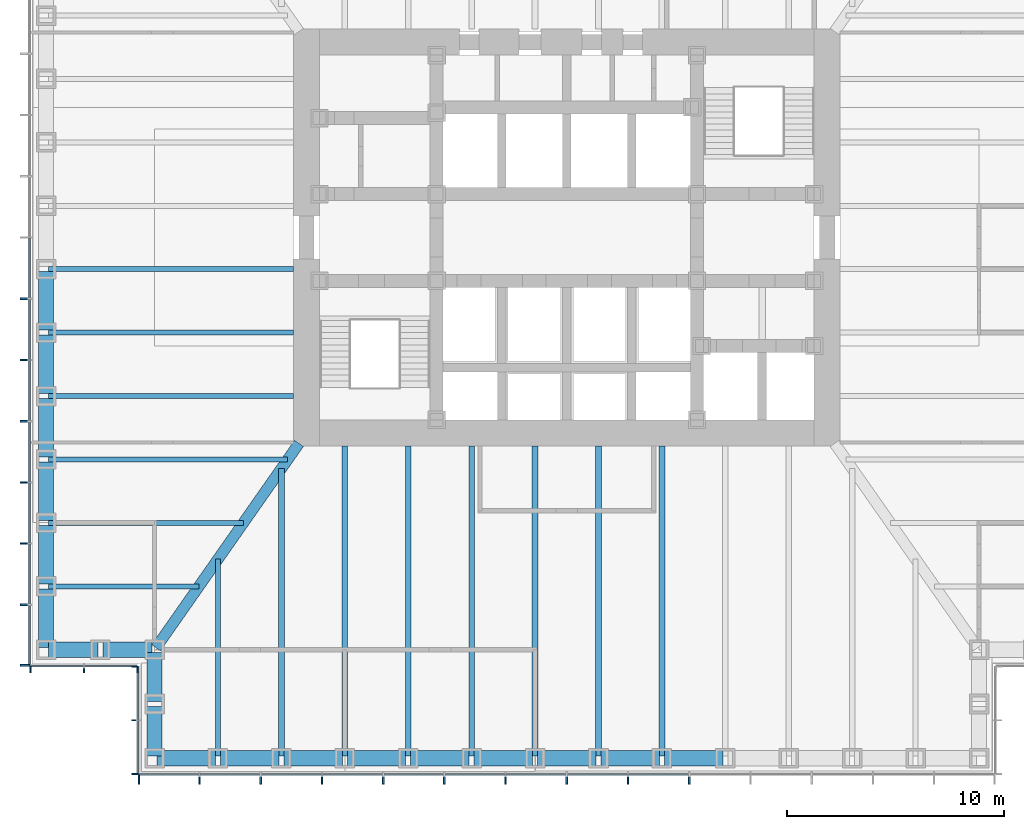
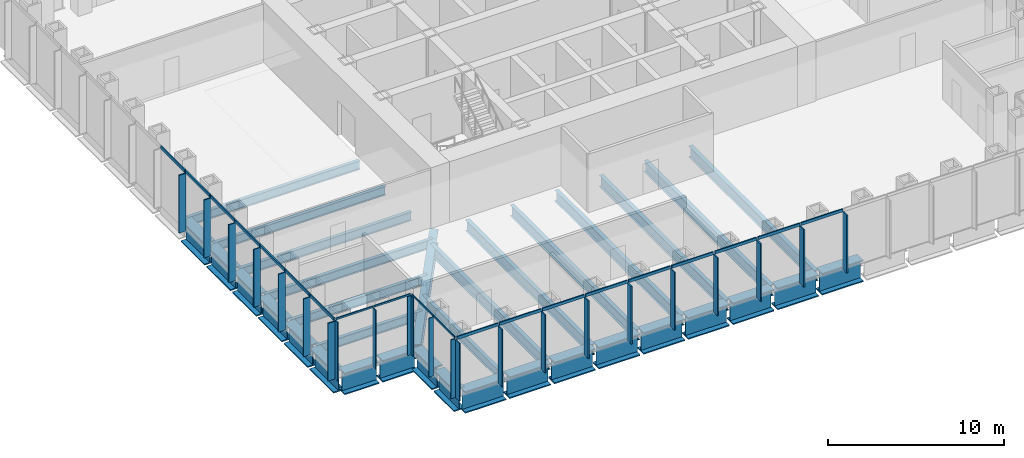
# One storey, part 2 of 16: 43 members, 34 beams, 4 elements without a shape of their own.
"""IFC4 building model written with IfcOpenShell, lengths in metres."""

from ifc_helpers import new_model, si_unit, direction, frame, origin, origin_2d, place, context, subcontext, project, spatial, rectangle, i_section, extrude, material, material_profile, profile_set, type_object, element, aggregate, save


model = new_model("IFC4")

# Units and contexts
model_context = context("Model", 3, precision=1e-05, world=origin(), true_north=direction((0.0, 1.0)))
body_context = subcontext(model_context, "Body", "Model", "MODEL_VIEW")
ifc_project = project(units=[si_unit("LENGTHUNIT", "METRE"), si_unit("AREAUNIT", "SQUARE_METRE"), si_unit("VOLUMEUNIT", "CUBIC_METRE"), si_unit("PLANEANGLEUNIT", "RADIAN"), si_unit("MASSUNIT", "GRAM", prefix="KILO")], contexts=[model_context])

# Site, building, storey
site_placement = place(None, origin())
site = spatial("IfcSite", under=ifc_project, at=site_placement, CompositionType="ELEMENT")
building_placement = place(site_placement, origin())
building = spatial("IfcBuilding", under=site, at=building_placement, Name="Daluyong Arena Tower", CompositionType="ELEMENT")
storey_placement = place(building_placement, frame((0.0, 0.0, 64.300048828125)))
storey = spatial("IfcBuildingStorey", under=building, at=storey_placement, Name="L13", CompositionType="ELEMENT", Elevation=64.300048828125)

# Curtain wall, members
ifc_material_1 = material(Name="Bronze anodised aluminium and glass", Category="aluminium")
curtain_wall_type_1 = type_object("IfcCurtainWallType", Name="Curtain wall CW1", PredefinedType="USERDEFINED", material=ifc_material_1)
curtain_wall_1_placement = place(storey_placement, origin())
curtain_wall_1 = element("IfcCurtainWall", 1, at=curtain_wall_1_placement, inside=storey, type_object=curtain_wall_type_1, Name="curtain wall L13 S", ObjectType="UNITISED CURTAIN WALL", PredefinedType="USERDEFINED")
ifc_material_2 = material(Name="Bronze anodised aluminium fin", Category="aluminium")
ifc_material_profile_1 = material_profile(ifc_material_2, rectangle(XDim=0.449951171875, YDim=0.080078125, at=origin_2d()))
ifc_profile_set_1 = profile_set([ifc_material_profile_1], Name="Bronze anodised aluminium fin")
member_type_1 = type_object("IfcMemberType", Name="CW1 bronze fin 450x80", PredefinedType="MULLION", material=ifc_profile_set_1)
member_1_placement = place(storey_placement, frame((36.2900390625, 55.02490234375, 0.0), z_axis=(0.0, 0.0, 1.0), x_axis=(0.0, 1.0, 0.0)))
member_1 = element("IfcMember", 2, at=member_1_placement, type_object=member_type_1, Name="curtain wall L13 S fin 1", PredefinedType="MULLION", context=body_context, shape_type="SweptSolid", body=[
    extrude(rectangle(XDim=0.449951171875, YDim=0.080078125, at=origin_2d()), origin(), (0.0, 0.0, 1.0), 4.0),
])
member_2_placement = place(storey_placement, frame((39.071533203125, 55.02490234375, 0.0), z_axis=(0.0, 0.0, 1.0), x_axis=(0.0, 1.0, 0.0)))
member_2 = element("IfcMember", 3, at=member_2_placement, type_object=member_type_1, Name="curtain wall L13 S fin 2", PredefinedType="MULLION", context=body_context, shape_type="SweptSolid", body=[
    extrude(rectangle(XDim=0.449951171875, YDim=0.080078125, at=origin_2d()), origin(), (0.0, 0.0, 1.0), 4.0),
])
member_3_placement = place(storey_placement, frame((41.892822265625, 55.02490234375, 0.0), z_axis=(0.0, 0.0, 1.0), x_axis=(0.0, 1.0, 0.0)))
member_3 = element("IfcMember", 4, at=member_3_placement, type_object=member_type_1, Name="curtain wall L13 S fin 3", PredefinedType="MULLION", context=body_context, shape_type="SweptSolid", body=[
    extrude(rectangle(XDim=0.449951171875, YDim=0.080078125, at=origin_2d()), origin(), (0.0, 0.0, 1.0), 4.0),
])
member_4_placement = place(storey_placement, frame((44.71435546875, 55.02490234375, 0.0), z_axis=(0.0, 0.0, 1.0), x_axis=(0.0, 1.0, 0.0)))
member_4 = element("IfcMember", 5, at=member_4_placement, type_object=member_type_1, Name="curtain wall L13 S fin 4", PredefinedType="MULLION", context=body_context, shape_type="SweptSolid", body=[
    extrude(rectangle(XDim=0.449951171875, YDim=0.080078125, at=origin_2d()), origin(), (0.0, 0.0, 1.0), 4.0),
])
member_5_placement = place(storey_placement, frame((47.53564453125, 55.02490234375, 0.0), z_axis=(0.0, 0.0, 1.0), x_axis=(0.0, 1.0, 0.0)))
member_5 = element("IfcMember", 6, at=member_5_placement, type_object=member_type_1, Name="curtain wall L13 S fin 5", PredefinedType="MULLION", context=body_context, shape_type="SweptSolid", body=[
    extrude(rectangle(XDim=0.449951171875, YDim=0.080078125, at=origin_2d()), origin(), (0.0, 0.0, 1.0), 4.0),
])
member_6_placement = place(storey_placement, frame((50.357177734375, 55.02490234375, 0.0), z_axis=(0.0, 0.0, 1.0), x_axis=(0.0, 1.0, 0.0)))
member_6 = element("IfcMember", 7, at=member_6_placement, type_object=member_type_1, Name="curtain wall L13 S fin 6", PredefinedType="MULLION", context=body_context, shape_type="SweptSolid", body=[
    extrude(rectangle(XDim=0.449951171875, YDim=0.080078125, at=origin_2d()), origin(), (0.0, 0.0, 1.0), 4.0),
])
member_7_placement = place(storey_placement, frame((53.178466796875, 55.02490234375, 0.0), z_axis=(0.0, 0.0, 1.0), x_axis=(0.0, 1.0, 0.0)))
member_7 = element("IfcMember", 8, at=member_7_placement, type_object=member_type_1, Name="curtain wall L13 S fin 7", PredefinedType="MULLION", context=body_context, shape_type="SweptSolid", body=[
    extrude(rectangle(XDim=0.449951171875, YDim=0.080078125, at=origin_2d()), origin(), (0.0, 0.0, 1.0), 4.0),
])
member_8_placement = place(storey_placement, frame((56.0, 55.02490234375, 0.0), z_axis=(0.0, 0.0, 1.0), x_axis=(0.0, 1.0, 0.0)))
member_8 = element("IfcMember", 9, at=member_8_placement, type_object=member_type_1, Name="curtain wall L13 S fin 8", PredefinedType="MULLION", context=body_context, shape_type="SweptSolid", body=[
    extrude(rectangle(XDim=0.449951171875, YDim=0.080078125, at=origin_2d()), origin(), (0.0, 0.0, 1.0), 4.0),
])
member_9_placement = place(storey_placement, frame((58.821533203125, 55.02490234375, 0.0), z_axis=(0.0, 0.0, 1.0), x_axis=(0.0, 1.0, 0.0)))
member_9 = element("IfcMember", 10, at=member_9_placement, type_object=member_type_1, Name="curtain wall L13 S fin 9", PredefinedType="MULLION", context=body_context, shape_type="SweptSolid", body=[
    extrude(rectangle(XDim=0.449951171875, YDim=0.080078125, at=origin_2d()), origin(), (0.0, 0.0, 1.0), 4.0),
])
member_10_placement = place(storey_placement, frame((61.642822265625, 55.02490234375, 0.0), z_axis=(0.0, 0.0, 1.0), x_axis=(0.0, 1.0, 0.0)))
member_10 = element("IfcMember", 11, at=member_10_placement, type_object=member_type_1, Name="curtain wall L13 S fin 10", PredefinedType="MULLION", context=body_context, shape_type="SweptSolid", body=[
    extrude(rectangle(XDim=0.449951171875, YDim=0.080078125, at=origin_2d()), origin(), (0.0, 0.0, 1.0), 4.0),
])

curtain_wall_2_placement = place(storey_placement, origin())
curtain_wall_2 = element("IfcCurtainWall", 12, at=curtain_wall_2_placement, inside=storey, type_object=curtain_wall_type_1, Name="curtain wall L13 W", ObjectType="UNITISED CURTAIN WALL", PredefinedType="USERDEFINED")
member_11_placement = place(storey_placement, frame((31.02490234375, 77.178466796875, 0.0), z_axis=(0.0, 0.0, 1.0), x_axis=(1.0, 0.0, 0.0)))
member_11 = element("IfcMember", 13, at=member_11_placement, type_object=member_type_1, Name="curtain wall L13 W fin 9", PredefinedType="MULLION", context=body_context, shape_type="SweptSolid", body=[
    extrude(rectangle(XDim=0.449951171875, YDim=0.080078125, at=origin_2d()), origin(), (0.0, 0.0, 1.0), 4.0),
])
member_12_placement = place(storey_placement, frame((31.02490234375, 74.357177734375, 0.0), z_axis=(0.0, 0.0, 1.0), x_axis=(1.0, 0.0, 0.0)))
member_12 = element("IfcMember", 14, at=member_12_placement, type_object=member_type_1, Name="curtain wall L13 W fin 10", PredefinedType="MULLION", context=body_context, shape_type="SweptSolid", body=[
    extrude(rectangle(XDim=0.449951171875, YDim=0.080078125, at=origin_2d()), origin(), (0.0, 0.0, 1.0), 4.0),
])
member_13_placement = place(storey_placement, frame((31.02490234375, 71.53564453125, 0.0), z_axis=(0.0, 0.0, 1.0), x_axis=(1.0, 0.0, 0.0)))
member_13 = element("IfcMember", 15, at=member_13_placement, type_object=member_type_1, Name="curtain wall L13 W fin 11", PredefinedType="MULLION", context=body_context, shape_type="SweptSolid", body=[
    extrude(rectangle(XDim=0.449951171875, YDim=0.080078125, at=origin_2d()), origin(), (0.0, 0.0, 1.0), 4.0),
])
member_14_placement = place(storey_placement, frame((31.02490234375, 68.71435546875, 0.0), z_axis=(0.0, 0.0, 1.0), x_axis=(1.0, 0.0, 0.0)))
member_14 = element("IfcMember", 16, at=member_14_placement, type_object=member_type_1, Name="curtain wall L13 W fin 12", PredefinedType="MULLION", context=body_context, shape_type="SweptSolid", body=[
    extrude(rectangle(XDim=0.449951171875, YDim=0.080078125, at=origin_2d()), origin(), (0.0, 0.0, 1.0), 4.0),
])
member_15_placement = place(storey_placement, frame((31.02490234375, 65.892822265625, 0.0), z_axis=(0.0, 0.0, 1.0), x_axis=(1.0, 0.0, 0.0)))
member_15 = element("IfcMember", 17, at=member_15_placement, type_object=member_type_1, Name="curtain wall L13 W fin 13", PredefinedType="MULLION", context=body_context, shape_type="SweptSolid", body=[
    extrude(rectangle(XDim=0.449951171875, YDim=0.080078125, at=origin_2d()), origin(), (0.0, 0.0, 1.0), 4.0),
])
member_16_placement = place(storey_placement, frame((31.02490234375, 63.071533203125, 0.0), z_axis=(0.0, 0.0, 1.0), x_axis=(1.0, 0.0, 0.0)))
member_16 = element("IfcMember", 18, at=member_16_placement, type_object=member_type_1, Name="curtain wall L13 W fin 14", PredefinedType="MULLION", context=body_context, shape_type="SweptSolid", body=[
    extrude(rectangle(XDim=0.449951171875, YDim=0.080078125, at=origin_2d()), origin(), (0.0, 0.0, 1.0), 4.0),
])
member_17_placement = place(storey_placement, frame((31.02490234375, 60.2900390625, 0.0), z_axis=(0.0, 0.0, 1.0), x_axis=(1.0, 0.0, 0.0)))
member_17 = element("IfcMember", 19, at=member_17_placement, type_object=member_type_1, Name="curtain wall L13 W fin 15", PredefinedType="MULLION", context=body_context, shape_type="SweptSolid", body=[
    extrude(rectangle(XDim=0.449951171875, YDim=0.080078125, at=origin_2d()), origin(), (0.0, 0.0, 1.0), 4.0),
])

# Member
ifc_material_3 = material(Name="Bronze anodised aluminium", Category="aluminium")
ifc_material_profile_2 = material_profile(ifc_material_3, rectangle(XDim=0.080078125, YDim=0.199951171875, at=origin_2d()))
ifc_profile_set_2 = profile_set([ifc_material_profile_2], Name="Bronze anodised aluminium")
member_type_2 = type_object("IfcMemberType", Name="CW1 stack transom 200x80", PredefinedType="USERDEFINED", material=ifc_profile_set_2)
member_18_placement = place(storey_placement, frame((36.330078125, 55.25, 4.099853515625), z_axis=(1.0, 0.0, 0.0), x_axis=(0.0, 1.0, 0.0)))
member_18 = element("IfcMember", 20, at=member_18_placement, type_object=member_type_2, Name="curtain wall L13 S transom 1", ObjectType="TRANSOM", PredefinedType="USERDEFINED", context=body_context, shape_type="SweptSolid", body=[
    extrude(rectangle(XDim=0.080078125, YDim=0.199951171875, at=origin_2d()), origin(), (0.0, 0.0, 1.0), 2.701416015625),
])

member_19_placement = place(storey_placement, frame((39.111328125, 55.25, 4.099853515625), z_axis=(1.0, 0.0, 0.0), x_axis=(0.0, 1.0, 0.0)))
member_19 = element("IfcMember", 21, at=member_19_placement, type_object=member_type_2, Name="curtain wall L13 S transom 2", ObjectType="TRANSOM", PredefinedType="USERDEFINED", context=body_context, shape_type="SweptSolid", body=[
    extrude(rectangle(XDim=0.080078125, YDim=0.199951171875, at=origin_2d()), origin(), (0.0, 0.0, 1.0), 2.741455078125),
])

member_20_placement = place(storey_placement, frame((41.932861328125, 55.25, 4.099853515625), z_axis=(1.0, 0.0, 0.0), x_axis=(0.0, 1.0, 0.0)))
member_20 = element("IfcMember", 22, at=member_20_placement, type_object=member_type_2, Name="curtain wall L13 S transom 3", ObjectType="TRANSOM", PredefinedType="USERDEFINED", context=body_context, shape_type="SweptSolid", body=[
    extrude(rectangle(XDim=0.080078125, YDim=0.199951171875, at=origin_2d()), origin(), (0.0, 0.0, 1.0), 2.741455078125),
])

member_21_placement = place(storey_placement, frame((44.75439453125, 55.25, 4.099853515625), z_axis=(1.0, 0.0, 0.0), x_axis=(0.0, 1.0, 0.0)))
member_21 = element("IfcMember", 23, at=member_21_placement, type_object=member_type_2, Name="curtain wall L13 S transom 4", ObjectType="TRANSOM", PredefinedType="USERDEFINED", context=body_context, shape_type="SweptSolid", body=[
    extrude(rectangle(XDim=0.080078125, YDim=0.199951171875, at=origin_2d()), origin(), (0.0, 0.0, 1.0), 2.7412109375),
])

member_22_placement = place(storey_placement, frame((47.57568359375, 55.25, 4.099853515625), z_axis=(1.0, 0.0, 0.0), x_axis=(0.0, 1.0, 0.0)))
member_22 = element("IfcMember", 24, at=member_22_placement, type_object=member_type_2, Name="curtain wall L13 S transom 5", ObjectType="TRANSOM", PredefinedType="USERDEFINED", context=body_context, shape_type="SweptSolid", body=[
    extrude(rectangle(XDim=0.080078125, YDim=0.199951171875, at=origin_2d()), origin(), (0.0, 0.0, 1.0), 2.741455078125),
])

member_23_placement = place(storey_placement, frame((50.397216796875, 55.25, 4.099853515625), z_axis=(1.0, 0.0, 0.0), x_axis=(0.0, 1.0, 0.0)))
member_23 = element("IfcMember", 25, at=member_23_placement, type_object=member_type_2, Name="curtain wall L13 S transom 6", ObjectType="TRANSOM", PredefinedType="USERDEFINED", context=body_context, shape_type="SweptSolid", body=[
    extrude(rectangle(XDim=0.080078125, YDim=0.199951171875, at=origin_2d()), origin(), (0.0, 0.0, 1.0), 2.741455078125),
])

member_24_placement = place(storey_placement, frame((53.218505859375, 55.25, 4.099853515625), z_axis=(1.0, 0.0, 0.0), x_axis=(0.0, 1.0, 0.0)))
member_24 = element("IfcMember", 26, at=member_24_placement, type_object=member_type_2, Name="curtain wall L13 S transom 7", ObjectType="TRANSOM", PredefinedType="USERDEFINED", context=body_context, shape_type="SweptSolid", body=[
    extrude(rectangle(XDim=0.080078125, YDim=0.199951171875, at=origin_2d()), origin(), (0.0, 0.0, 1.0), 2.741455078125),
])

member_25_placement = place(storey_placement, frame((56.0400390625, 55.25, 4.099853515625), z_axis=(1.0, 0.0, 0.0), x_axis=(0.0, 1.0, 0.0)))
member_25 = element("IfcMember", 27, at=member_25_placement, type_object=member_type_2, Name="curtain wall L13 S transom 8", ObjectType="TRANSOM", PredefinedType="USERDEFINED", context=body_context, shape_type="SweptSolid", body=[
    extrude(rectangle(XDim=0.080078125, YDim=0.199951171875, at=origin_2d()), origin(), (0.0, 0.0, 1.0), 2.741455078125),
])

member_26_placement = place(storey_placement, frame((58.861328125, 55.25, 4.099853515625), z_axis=(1.0, 0.0, 0.0), x_axis=(0.0, 1.0, 0.0)))
member_26 = element("IfcMember", 28, at=member_26_placement, type_object=member_type_2, Name="curtain wall L13 S transom 9", ObjectType="TRANSOM", PredefinedType="USERDEFINED", context=body_context, shape_type="SweptSolid", body=[
    extrude(rectangle(XDim=0.080078125, YDim=0.199951171875, at=origin_2d()), origin(), (0.0, 0.0, 1.0), 2.741455078125),
])

aggregate(curtain_wall_1, [member_1, member_2, member_3, member_4, member_5, member_6, member_7, member_8, member_9, member_10, member_18, member_19, member_20, member_21, member_22, member_23, member_24, member_25, member_26])

member_27_placement = place(storey_placement, frame((31.25, 79.9599609375, 4.099853515625), z_axis=(0.0, -1.0, 0.0), x_axis=(1.0, 0.0, 0.0)))
member_27 = element("IfcMember", 29, at=member_27_placement, type_object=member_type_2, Name="curtain wall L13 W transom 8", ObjectType="TRANSOM", PredefinedType="USERDEFINED", context=body_context, shape_type="SweptSolid", body=[
    extrude(rectangle(XDim=0.080078125, YDim=0.199951171875, at=origin_2d()), origin(), (0.0, 0.0, 1.0), 2.741455078125),
])

member_28_placement = place(storey_placement, frame((31.25, 77.138671875, 4.099853515625), z_axis=(0.0, -1.0, 0.0), x_axis=(1.0, 0.0, 0.0)))
member_28 = element("IfcMember", 30, at=member_28_placement, type_object=member_type_2, Name="curtain wall L13 W transom 9", ObjectType="TRANSOM", PredefinedType="USERDEFINED", context=body_context, shape_type="SweptSolid", body=[
    extrude(rectangle(XDim=0.080078125, YDim=0.199951171875, at=origin_2d()), origin(), (0.0, 0.0, 1.0), 2.741455078125),
])

member_29_placement = place(storey_placement, frame((31.25, 74.317138671875, 4.099853515625), z_axis=(0.0, -1.0, 0.0), x_axis=(1.0, 0.0, 0.0)))
member_29 = element("IfcMember", 31, at=member_29_placement, type_object=member_type_2, Name="curtain wall L13 W transom 10", ObjectType="TRANSOM", PredefinedType="USERDEFINED", context=body_context, shape_type="SweptSolid", body=[
    extrude(rectangle(XDim=0.080078125, YDim=0.199951171875, at=origin_2d()), origin(), (0.0, 0.0, 1.0), 2.741455078125),
])

member_30_placement = place(storey_placement, frame((31.25, 71.49560546875, 4.099853515625), z_axis=(0.0, -1.0, 0.0), x_axis=(1.0, 0.0, 0.0)))
member_30 = element("IfcMember", 32, at=member_30_placement, type_object=member_type_2, Name="curtain wall L13 W transom 11", ObjectType="TRANSOM", PredefinedType="USERDEFINED", context=body_context, shape_type="SweptSolid", body=[
    extrude(rectangle(XDim=0.080078125, YDim=0.199951171875, at=origin_2d()), origin(), (0.0, 0.0, 1.0), 2.7412109375),
])

member_31_placement = place(storey_placement, frame((31.25, 68.67431640625, 4.099853515625), z_axis=(0.0, -1.0, 0.0), x_axis=(1.0, 0.0, 0.0)))
member_31 = element("IfcMember", 33, at=member_31_placement, type_object=member_type_2, Name="curtain wall L13 W transom 12", ObjectType="TRANSOM", PredefinedType="USERDEFINED", context=body_context, shape_type="SweptSolid", body=[
    extrude(rectangle(XDim=0.080078125, YDim=0.199951171875, at=origin_2d()), origin(), (0.0, 0.0, 1.0), 2.741455078125),
])

member_32_placement = place(storey_placement, frame((31.25, 65.852783203125, 4.099853515625), z_axis=(0.0, -1.0, 0.0), x_axis=(1.0, 0.0, 0.0)))
member_32 = element("IfcMember", 34, at=member_32_placement, type_object=member_type_2, Name="curtain wall L13 W transom 13", ObjectType="TRANSOM", PredefinedType="USERDEFINED", context=body_context, shape_type="SweptSolid", body=[
    extrude(rectangle(XDim=0.080078125, YDim=0.199951171875, at=origin_2d()), origin(), (0.0, 0.0, 1.0), 2.741455078125),
])

member_33_placement = place(storey_placement, frame((31.25, 63.031494140625, 4.099853515625), z_axis=(0.0, -1.0, 0.0), x_axis=(1.0, 0.0, 0.0)))
member_33 = element("IfcMember", 35, at=member_33_placement, type_object=member_type_2, Name="curtain wall L13 W transom 14", ObjectType="TRANSOM", PredefinedType="USERDEFINED", context=body_context, shape_type="SweptSolid", body=[
    extrude(rectangle(XDim=0.080078125, YDim=0.199951171875, at=origin_2d()), origin(), (0.0, 0.0, 1.0), 2.701416015625),
])

aggregate(curtain_wall_2, [member_11, member_12, member_13, member_14, member_15, member_16, member_17, member_27, member_28, member_29, member_30, member_31, member_32, member_33])

# Curtain wall, members
ifc_material_4 = material(Name="Bronze anodised aluminium and glass", Category="aluminium")
curtain_wall_type_2 = type_object("IfcCurtainWallType", Name="Curtain wall CW7", PredefinedType="USERDEFINED", material=ifc_material_4)
curtain_wall_3_placement = place(storey_placement, origin())
curtain_wall_3 = element("IfcCurtainWall", 36, at=curtain_wall_3_placement, inside=storey, type_object=curtain_wall_type_2, Name="curtain wall L13 SW-S", ObjectType="UNITISED CURTAIN WALL", PredefinedType="USERDEFINED")
ifc_material_5 = material(Name="Bronze anodised aluminium fin", Category="aluminium")
ifc_material_profile_3 = material_profile(ifc_material_5, rectangle(XDim=0.300048828125, YDim=0.06005859375, at=origin_2d()))
ifc_profile_set_3 = profile_set([ifc_material_profile_3], Name="Bronze anodised aluminium fin")
member_type_3 = type_object("IfcMemberType", Name="CW7 bronze fin 300x60", PredefinedType="MULLION", material=ifc_profile_set_3)
member_34_placement = place(storey_placement, frame((31.280029296875, 60.10009765625, 0.0), z_axis=(0.0, 0.0, 1.0), x_axis=(0.0, 1.0, 0.0)))
member_34 = element("IfcMember", 37, at=member_34_placement, type_object=member_type_3, Name="curtain wall L13 SW-S fin 1", PredefinedType="MULLION", context=body_context, shape_type="SweptSolid", body=[
    extrude(rectangle(XDim=0.300048828125, YDim=0.06005859375, at=origin_2d()), origin(), (0.0, 0.0, 1.0), 4.079833984375),
])
member_35_placement = place(storey_placement, frame((33.75, 60.10009765625, 0.0), z_axis=(0.0, 0.0, 1.0), x_axis=(0.0, 1.0, 0.0)))
member_35 = element("IfcMember", 38, at=member_35_placement, type_object=member_type_3, Name="curtain wall L13 SW-S fin 2", PredefinedType="MULLION", context=body_context, shape_type="SweptSolid", body=[
    extrude(rectangle(XDim=0.300048828125, YDim=0.06005859375, at=origin_2d()), origin(), (0.0, 0.0, 1.0), 4.079833984375),
])
member_36_placement = place(storey_placement, frame((36.219970703125, 60.10009765625, 0.0), z_axis=(0.0, 0.0, 1.0), x_axis=(0.0, 1.0, 0.0)))
member_36 = element("IfcMember", 39, at=member_36_placement, type_object=member_type_3, Name="curtain wall L13 SW-S fin 3", PredefinedType="MULLION", context=body_context, shape_type="SweptSolid", body=[
    extrude(rectangle(XDim=0.300048828125, YDim=0.06005859375, at=origin_2d()), origin(), (0.0, 0.0, 1.0), 4.079833984375),
])

curtain_wall_4_placement = place(storey_placement, origin())
curtain_wall_4 = element("IfcCurtainWall", 40, at=curtain_wall_4_placement, inside=storey, type_object=curtain_wall_type_2, Name="curtain wall L13 SW-W", ObjectType="UNITISED CURTAIN WALL", PredefinedType="USERDEFINED")
member_37_placement = place(storey_placement, frame((36.10009765625, 60.219970703125, 0.0), z_axis=(0.0, 0.0, 1.0), x_axis=(1.0, 0.0, 0.0)))
member_37 = element("IfcMember", 41, at=member_37_placement, type_object=member_type_3, Name="curtain wall L13 SW-W fin 1", PredefinedType="MULLION", context=body_context, shape_type="SweptSolid", body=[
    extrude(rectangle(XDim=0.300048828125, YDim=0.06005859375, at=origin_2d()), origin(), (0.0, 0.0, 1.0), 4.079833984375),
])
member_38_placement = place(storey_placement, frame((36.10009765625, 57.75, 0.0), z_axis=(0.0, 0.0, 1.0), x_axis=(1.0, 0.0, 0.0)))
member_38 = element("IfcMember", 42, at=member_38_placement, type_object=member_type_3, Name="curtain wall L13 SW-W fin 2", PredefinedType="MULLION", context=body_context, shape_type="SweptSolid", body=[
    extrude(rectangle(XDim=0.300048828125, YDim=0.06005859375, at=origin_2d()), origin(), (0.0, 0.0, 1.0), 4.079833984375),
])
member_39_placement = place(storey_placement, frame((36.10009765625, 55.280029296875, 0.0), z_axis=(0.0, 0.0, 1.0), x_axis=(1.0, 0.0, 0.0)))
member_39 = element("IfcMember", 43, at=member_39_placement, type_object=member_type_3, Name="curtain wall L13 SW-W fin 3", PredefinedType="MULLION", context=body_context, shape_type="SweptSolid", body=[
    extrude(rectangle(XDim=0.300048828125, YDim=0.06005859375, at=origin_2d()), origin(), (0.0, 0.0, 1.0), 4.079833984375),
])

# Member
ifc_material_6 = material(Name="Bronze anodised aluminium", Category="aluminium")
ifc_material_profile_4 = material_profile(ifc_material_6, rectangle(XDim=0.06005859375, YDim=0.1201171875, at=origin_2d()))
ifc_profile_set_4 = profile_set([ifc_material_profile_4], Name="Bronze anodised aluminium")
member_type_4 = type_object("IfcMemberType", Name="CW7 stack transom 120x60", PredefinedType="USERDEFINED", material=ifc_profile_set_4)
member_40_placement = place(storey_placement, frame((31.31005859375, 60.25, 4.139892578125), z_axis=(1.0, 0.0, 0.0), x_axis=(0.0, 1.0, 0.0)))
member_40 = element("IfcMember", 44, at=member_40_placement, type_object=member_type_4, Name="curtain wall L13 SW-S transom 1", ObjectType="TRANSOM", PredefinedType="USERDEFINED", context=body_context, shape_type="SweptSolid", body=[
    extrude(rectangle(XDim=0.06005859375, YDim=0.1201171875, at=origin_2d()), origin(), (0.0, 0.0, 1.0), 2.409912109375),
])

member_41_placement = place(storey_placement, frame((33.780029296875, 60.25, 4.139892578125), z_axis=(1.0, 0.0, 0.0), x_axis=(0.0, 1.0, 0.0)))
member_41 = element("IfcMember", 45, at=member_41_placement, type_object=member_type_4, Name="curtain wall L13 SW-S transom 2", ObjectType="TRANSOM", PredefinedType="USERDEFINED", context=body_context, shape_type="SweptSolid", body=[
    extrude(rectangle(XDim=0.06005859375, YDim=0.1201171875, at=origin_2d()), origin(), (0.0, 0.0, 1.0), 2.409912109375),
])

aggregate(curtain_wall_3, [member_34, member_35, member_36, member_40, member_41])

member_42_placement = place(storey_placement, frame((36.25, 60.18994140625, 4.139892578125), z_axis=(0.0, -1.0, 0.0), x_axis=(1.0, 0.0, 0.0)))
member_42 = element("IfcMember", 46, at=member_42_placement, type_object=member_type_4, Name="curtain wall L13 SW-W transom 1", ObjectType="TRANSOM", PredefinedType="USERDEFINED", context=body_context, shape_type="SweptSolid", body=[
    extrude(rectangle(XDim=0.06005859375, YDim=0.1201171875, at=origin_2d()), origin(), (0.0, 0.0, 1.0), 2.409912109375),
])

member_43_placement = place(storey_placement, frame((36.25, 57.719970703125, 4.139892578125), z_axis=(0.0, -1.0, 0.0), x_axis=(1.0, 0.0, 0.0)))
member_43 = element("IfcMember", 47, at=member_43_placement, type_object=member_type_4, Name="curtain wall L13 SW-W transom 2", ObjectType="TRANSOM", PredefinedType="USERDEFINED", context=body_context, shape_type="SweptSolid", body=[
    extrude(rectangle(XDim=0.06005859375, YDim=0.1201171875, at=origin_2d()), origin(), (0.0, 0.0, 1.0), 2.409912109375),
])

aggregate(curtain_wall_4, [member_37, member_38, member_39, member_42, member_43])

# Beams
ifc_material_7 = material(Name="Steel ASTM A572 Grade 50", Category="steel")
ifc_material_profile_5 = material_profile(ifc_material_7, i_section(OverallWidth=0.5, OverallDepth=1.0, WebThickness=0.03, FlangeThickness=0.06, at=origin_2d()))
ifc_profile_set_5 = profile_set([ifc_material_profile_5], Name="Steel ASTM A572 Grade 50")
beam_type_1 = type_object("IfcBeamType", Name="Corner girder TB1000X500", PredefinedType="BEAM", material=ifc_profile_set_5)
beam_1_placement = place(storey_placement, frame((37.06591796875, 61.09423828125, -0.66015625), z_axis=(0.573466621875, 0.819228926244, 0.0), x_axis=(-0.819228926244, 0.573466621875, 0.0)))
element("IfcBeam", 48, at=beam_1_placement, inside=storey, type_object=beam_type_1, Name="corner girder DG2", PredefinedType="BEAM", context=body_context, shape_type="SweptSolid", body=[
    extrude(i_section(OverallWidth=0.5, OverallDepth=1.0, WebThickness=0.03, FlangeThickness=0.06, at=origin_2d()), origin(), (0.0, 0.0, 1.0), 11.49169921875),
])
ifc_material_8 = material(Name="Steel ASTM A992 Grade 50", Category="steel")
ifc_material_profile_6 = material_profile(ifc_material_8, i_section(OverallWidth=0.22900390625, OverallDepth=0.612060546875, WebThickness=0.011962890625, FlangeThickness=0.01953125, at=origin_2d()))
ifc_profile_set_6 = profile_set([ifc_material_profile_6], Name="Steel ASTM A992 Grade 50")
beam_type_2 = type_object("IfcBeamType", Name="Floor beam W24X84", PredefinedType="BEAM", material=ifc_profile_set_6)
beam_2_placement = place(storey_placement, frame((39.923095703125, 56.114990234375, -0.466064453125), z_axis=(0.0, 1.0, 0.0), x_axis=(-1.0, 0.0, 0.0)))
element("IfcBeam", 49, at=beam_2_placement, inside=storey, type_object=beam_type_2, Name="floor beam FB3", PredefinedType="BEAM", context=body_context, shape_type="SweptSolid", body=[
    extrude(i_section(OverallWidth=0.22900390625, OverallDepth=0.612060546875, WebThickness=0.011962890625, FlangeThickness=0.01953125, at=origin_2d()), origin(), (0.0, 0.0, 1.0), 9.060791015625),
])
for number, where, z_axis, x_axis, name in (
    (50, (32.114990234375, 78.53857421875, -0.466064453125), (1.0, 0.0, 0.0), (0.0, 1.0, 0.0), "floor beam FB3"),
    (51, (32.114990234375, 75.615478515625, -0.466064453125), (1.0, 0.0, 0.0), (0.0, 1.0, 0.0), "floor beam FB3"),
    (52, (32.114990234375, 72.6923828125, -0.466064453125), (1.0, 0.0, 0.0), (0.0, 1.0, 0.0), "floor beam FB3"),
):
    element("IfcBeam", number, at=place(storey_placement, frame(where, z_axis=z_axis, x_axis=x_axis)), inside=storey, type_object=beam_type_2, Name=name, PredefinedType="BEAM", context=body_context, shape_type="SweptSolid", body=[
        extrude(i_section(OverallWidth=0.22900390625, OverallDepth=0.612060546875, WebThickness=0.011962890625, FlangeThickness=0.01953125, at=origin_2d()), origin(), (0.0, 0.0, 1.0), 11.284912109375),
    ])
beam_3_placement = place(storey_placement, frame((32.114990234375, 69.769287109375, -0.466064453125), z_axis=(1.0, 0.0, 0.0), x_axis=(0.0, 1.0, 0.0)))
element("IfcBeam", 53, at=beam_3_placement, inside=storey, type_object=beam_type_2, Name="floor beam FB3", PredefinedType="BEAM", context=body_context, shape_type="SweptSolid", body=[
    extrude(i_section(OverallWidth=0.22900390625, OverallDepth=0.612060546875, WebThickness=0.011962890625, FlangeThickness=0.01953125, at=origin_2d()), origin(), (0.0, 0.0, 1.0), 11.0234375),
])
beam_4_placement = place(storey_placement, frame((32.114990234375, 66.84619140625, -0.466064453125), z_axis=(1.0, 0.0, 0.0), x_axis=(0.0, 1.0, 0.0)))
element("IfcBeam", 54, at=beam_4_placement, inside=storey, type_object=beam_type_2, Name="floor beam FB3", PredefinedType="BEAM", context=body_context, shape_type="SweptSolid", body=[
    extrude(i_section(OverallWidth=0.22900390625, OverallDepth=0.612060546875, WebThickness=0.011962890625, FlangeThickness=0.01953125, at=origin_2d()), origin(), (0.0, 0.0, 1.0), 8.977294921875),
])
beam_5_placement = place(storey_placement, frame((32.114990234375, 63.923095703125, -0.466064453125), z_axis=(1.0, 0.0, 0.0), x_axis=(0.0, 1.0, 0.0)))
element("IfcBeam", 55, at=beam_5_placement, inside=storey, type_object=beam_type_2, Name="floor beam FB3", PredefinedType="BEAM", context=body_context, shape_type="SweptSolid", body=[
    extrude(i_section(OverallWidth=0.22900390625, OverallDepth=0.612060546875, WebThickness=0.011962890625, FlangeThickness=0.01953125, at=origin_2d()), origin(), (0.0, 0.0, 1.0), 6.93115234375),
])
ifc_material_9 = material(Name="Steel ASTM A992 Grade 50", Category="steel")
ifc_material_profile_7 = material_profile(ifc_material_9, i_section(OverallWidth=0.2666015625, OverallDepth=0.761962890625, WebThickness=0.014404296875, FlangeThickness=0.021484375, at=origin_2d()))
ifc_profile_set_7 = profile_set([ifc_material_profile_7], Name="Steel ASTM A992 Grade 50")
beam_type_3 = type_object("IfcBeamType", Name="Floor beam W30X116", PredefinedType="BEAM", material=ifc_profile_set_7)
beam_6_placement = place(storey_placement, frame((42.84619140625, 56.114990234375, -0.541015625), z_axis=(0.0, 1.0, 0.0), x_axis=(-1.0, 0.0, 0.0)))
element("IfcBeam", 56, at=beam_6_placement, inside=storey, type_object=beam_type_3, Name="floor beam FB4", PredefinedType="BEAM", context=body_context, shape_type="SweptSolid", body=[
    extrude(i_section(OverallWidth=0.2666015625, OverallDepth=0.761962890625, WebThickness=0.014404296875, FlangeThickness=0.021484375, at=origin_2d()), origin(), (0.0, 0.0, 1.0), 13.236572265625),
])
for number, where, z_axis, x_axis, name in (
    (57, (45.769287109375, 56.114990234375, -0.541015625), (0.0, 1.0, 0.0), (-1.0, 0.0, 0.0), "floor beam FB4"),
    (58, (48.6923828125, 56.114990234375, -0.541015625), (0.0, 1.0, 0.0), (-1.0, 0.0, 0.0), "floor beam FB4"),
    (59, (51.615478515625, 56.114990234375, -0.541015625), (0.0, 1.0, 0.0), (-1.0, 0.0, 0.0), "floor beam FB4"),
    (60, (54.53857421875, 56.114990234375, -0.541015625), (0.0, 1.0, 0.0), (-1.0, 0.0, 0.0), "floor beam FB4"),
    (61, (57.46142578125, 56.114990234375, -0.541015625), (0.0, 1.0, 0.0), (-1.0, 0.0, 0.0), "floor beam FB4"),
    (62, (60.384521484375, 56.114990234375, -0.541015625), (0.0, 1.0, 0.0), (-1.0, 0.0, 0.0), "floor beam FB4"),
):
    element("IfcBeam", number, at=place(storey_placement, frame(where, z_axis=z_axis, x_axis=x_axis)), inside=storey, type_object=beam_type_3, Name=name, PredefinedType="BEAM", context=body_context, shape_type="SweptSolid", body=[
        extrude(i_section(OverallWidth=0.2666015625, OverallDepth=0.761962890625, WebThickness=0.014404296875, FlangeThickness=0.021484375, at=origin_2d()), origin(), (0.0, 0.0, 1.0), 14.284912109375),
    ])
ifc_material_10 = material(Name="Steel ASTM A572 Grade 50", Category="steel")
ifc_material_profile_8 = material_profile(ifc_material_10, i_section(OverallWidth=0.699951171875, OverallDepth=1.5, WebThickness=0.04, FlangeThickness=0.08, at=origin_2d()))
ifc_profile_set_8 = profile_set([ifc_material_profile_8], Name="Steel ASTM A572 Grade 50")
beam_type_4 = type_object("IfcBeamType", Name="Spandrel Z1 PG1500X700", PredefinedType="SPANDREL", material=ifc_profile_set_8)
for number, where, z_axis, x_axis, name in (
    (63, (37.114990234375, 56.0, -0.91015625), (1.0, 0.0, 0.0), (0.0, 1.0, 0.0), "spandrel z1 SB4"),
    (64, (40.0380859375, 56.0, -0.91015625), (1.0, 0.0, 0.0), (0.0, 1.0, 0.0), "spandrel z1 SB4"),
    (65, (42.961181640625, 56.0, -0.91015625), (1.0, 0.0, 0.0), (0.0, 1.0, 0.0), "spandrel z1 SB4"),
    (66, (45.88427734375, 56.0, -0.91015625), (1.0, 0.0, 0.0), (0.0, 1.0, 0.0), "spandrel z1 SB4"),
    (67, (48.807373046875, 56.0, -0.91015625), (1.0, 0.0, 0.0), (0.0, 1.0, 0.0), "spandrel z1 SB4"),
    (68, (51.73046875, 56.0, -0.91015625), (1.0, 0.0, 0.0), (0.0, 1.0, 0.0), "spandrel z1 SB4"),
):
    element("IfcBeam", number, at=place(storey_placement, frame(where, z_axis=z_axis, x_axis=x_axis)), inside=storey, type_object=beam_type_4, Name=name, PredefinedType="SPANDREL", context=body_context, shape_type="SweptSolid", body=[
        extrude(i_section(OverallWidth=0.699951171875, OverallDepth=1.5, WebThickness=0.04, FlangeThickness=0.08, at=origin_2d()), origin(), (0.0, 0.0, 1.0), 2.693115234375),
    ])
beam_7_placement = place(storey_placement, frame((54.653564453125, 56.0, -0.91015625), z_axis=(1.0, 0.0, 0.0), x_axis=(0.0, 1.0, 0.0)))
element("IfcBeam", 69, at=beam_7_placement, inside=storey, type_object=beam_type_4, Name="spandrel z1 SB4", PredefinedType="SPANDREL", context=body_context, shape_type="SweptSolid", body=[
    extrude(i_section(OverallWidth=0.699951171875, OverallDepth=1.5, WebThickness=0.04, FlangeThickness=0.08, at=origin_2d()), origin(), (0.0, 0.0, 1.0), 2.69287109375),
])
for number, where, z_axis, x_axis, name in (
    (70, (57.576416015625, 56.0, -0.91015625), (1.0, 0.0, 0.0), (0.0, 1.0, 0.0), "spandrel z1 SB4"),
    (71, (60.49951171875, 56.0, -0.91015625), (1.0, 0.0, 0.0), (0.0, 1.0, 0.0), "spandrel z1 SB4"),
    (72, (32.0, 78.423583984375, -0.91015625), (0.0, -1.0, 0.0), (1.0, 0.0, 0.0), "spandrel z1 SB4"),
    (73, (32.0, 75.50048828125, -0.91015625), (0.0, -1.0, 0.0), (1.0, 0.0, 0.0), "spandrel z1 SB4"),
    (74, (32.0, 72.577392578125, -0.91015625), (0.0, -1.0, 0.0), (1.0, 0.0, 0.0), "spandrel z1 SB4"),
    (75, (32.0, 69.654296875, -0.91015625), (0.0, -1.0, 0.0), (1.0, 0.0, 0.0), "spandrel z1 SB4"),
    (76, (32.0, 66.731201171875, -0.91015625), (0.0, -1.0, 0.0), (1.0, 0.0, 0.0), "spandrel z1 SB4"),
    (77, (32.0, 63.80810546875, -0.91015625), (0.0, -1.0, 0.0), (1.0, 0.0, 0.0), "spandrel z1 SB4"),
):
    element("IfcBeam", number, at=place(storey_placement, frame(where, z_axis=z_axis, x_axis=x_axis)), inside=storey, type_object=beam_type_4, Name=name, PredefinedType="SPANDREL", context=body_context, shape_type="SweptSolid", body=[
        extrude(i_section(OverallWidth=0.699951171875, OverallDepth=1.5, WebThickness=0.04, FlangeThickness=0.08, at=origin_2d()), origin(), (0.0, 0.0, 1.0), 2.693115234375),
    ])
for number, where, z_axis, x_axis, name in (
    (78, (32.114990234375, 61.0, -0.91015625), (1.0, 0.0, 0.0), (0.0, 1.0, 0.0), "spandrel z1 SB4"),
    (79, (34.614990234375, 61.0, -0.91015625), (1.0, 0.0, 0.0), (0.0, 1.0, 0.0), "spandrel z1 SB4"),
    (80, (37.0, 60.885009765625, -0.91015625), (0.0, -1.0, 0.0), (1.0, 0.0, 0.0), "spandrel z1 SB4"),
    (81, (37.0, 58.385009765625, -0.91015625), (0.0, -1.0, 0.0), (1.0, 0.0, 0.0), "spandrel z1 SB4"),
):
    element("IfcBeam", number, at=place(storey_placement, frame(where, z_axis=z_axis, x_axis=x_axis)), inside=storey, type_object=beam_type_4, Name=name, PredefinedType="SPANDREL", context=body_context, shape_type="SweptSolid", body=[
        extrude(i_section(OverallWidth=0.699951171875, OverallDepth=1.5, WebThickness=0.04, FlangeThickness=0.08, at=origin_2d()), origin(), (0.0, 0.0, 1.0), 2.27001953125),
    ])

save(model, "model.ifc")
